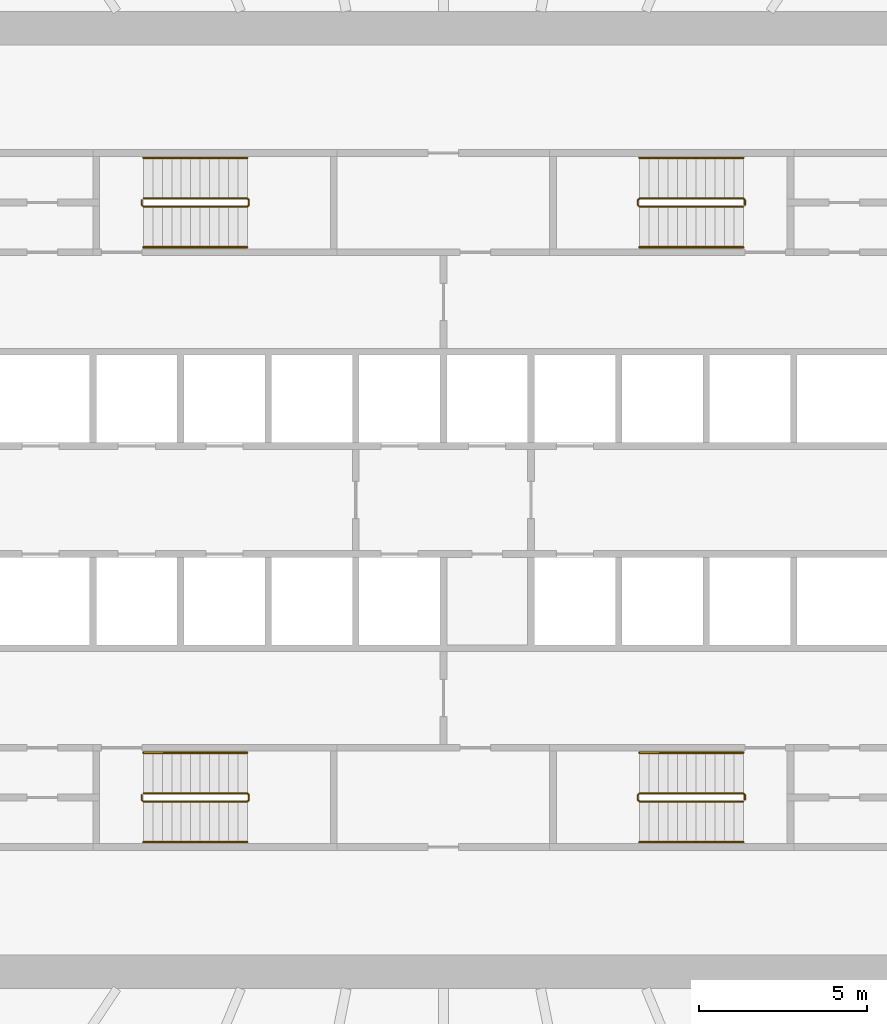
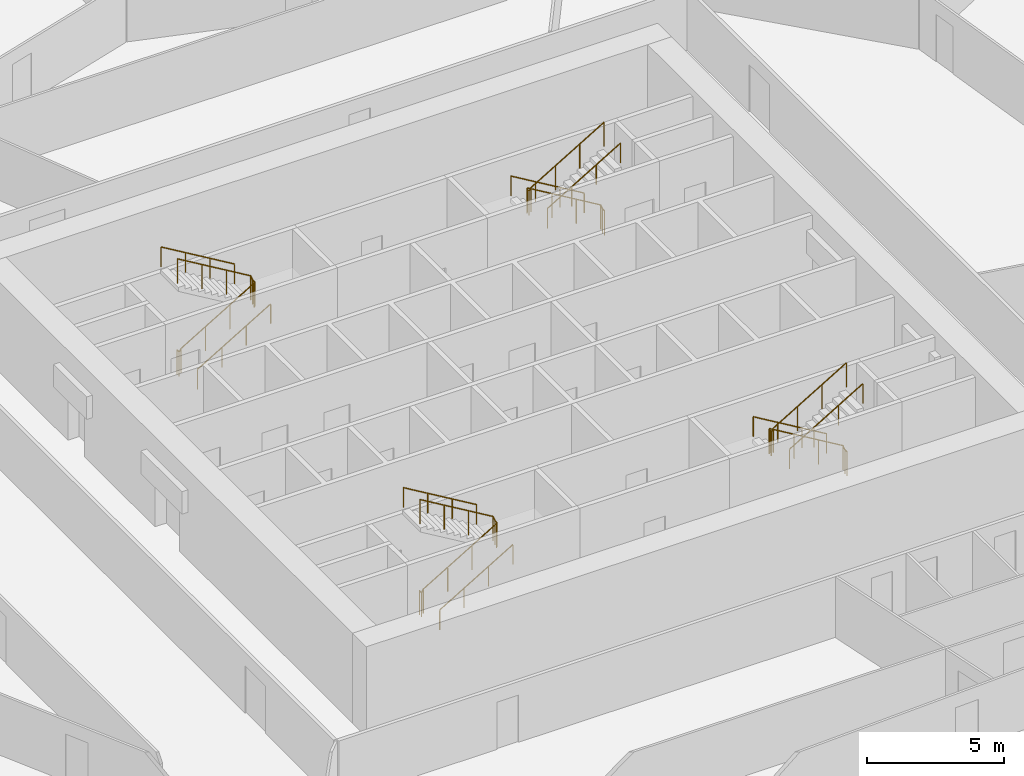
# One storey, part 8 of 8: 12 railings.
"""IFC4 building model written with IfcOpenShell, lengths in metres."""

from ifc_helpers import new_model, si_unit, direction, frame, origin, origin_2d, place, context, subcontext, project, spatial, circle, extrude, material, type_object, element, save


model = new_model("IFC4")

# Units and contexts
model_context = context("Model", 3, precision=1e-05, world=origin(), true_north=direction((0.0, 1.0)))
body_context = subcontext(model_context, "Body", "Model", "MODEL_VIEW")
ifc_project = project(units=[si_unit("LENGTHUNIT", "METRE"), si_unit("AREAUNIT", "SQUARE_METRE"), si_unit("VOLUMEUNIT", "CUBIC_METRE"), si_unit("PLANEANGLEUNIT", "RADIAN"), si_unit("MASSUNIT", "GRAM", prefix="KILO")], contexts=[model_context])

# Site, building, storey
site_placement = place(None, origin())
site = spatial("IfcSite", under=ifc_project, at=site_placement, CompositionType="ELEMENT")
building_placement = place(site_placement, origin())
building = spatial("IfcBuilding", under=site, at=building_placement, Name="Corvane Civic Tower", CompositionType="ELEMENT")
storey_placement = place(building_placement, frame((0.0, 0.0, 94.5)))
storey = spatial("IfcBuildingStorey", under=building, at=storey_placement, Name="L21", CompositionType="ELEMENT", Elevation=94.5)

# Railings
ifc_material_1 = material(Name="Steel ASTM A572 Gr 50", Category="steel")
railing_type_1 = type_object("IfcRailingType", Name="ST-GUARD-1100", PredefinedType="GUARDRAIL", material=ifc_material_1)
railing_1_placement = place(storey_placement, frame((8.949951171875, 8.75, 0.0)))
element("IfcRailing", 1, at=railing_1_placement, inside=storey, type_object=railing_type_1, Name="L21 ST1 stair guard 1", PredefinedType="GUARDRAIL", context=body_context, shape_type="SweptSolid", body=[
    extrude(circle(Radius=0.02392578125, at=origin_2d()), frame((0.0, 0.0, 1.076171875), z_axis=(0.0, 1.0, 0.0), x_axis=(-1.0, 0.0, 0.0)), (0.0, 0.0, 1.0), 0.14990234375),
    extrude(circle(Radius=0.02392578125, at=origin_2d()), frame((0.0, 0.14990234375, 1.076171875), z_axis=(-0.27628659633, 0.27628659633, 0.920506074601), x_axis=(-0.707106781187, -0.707106781187, 0.0)), (0.0, 0.0, 1.0), 0.18115234375),
    extrude(circle(Radius=0.02392578125, at=origin_2d()), frame((-0.050048828125, 0.199951171875, 1.24267578125), z_axis=(-0.859290745958, 0.0, 0.51148745235), x_axis=(0.0, -1.0, 0.0)), (0.0, 0.0, 1.0), 3.584228515625),
    extrude(circle(Radius=0.02392578125, at=origin_2d()), frame((-3.1298828125, 0.199951171875, 3.076171875), z_axis=(-0.707106781187, -0.707106781187, 0.0), x_axis=(0.707106781187, -0.707106781187, 0.0)), (0.0, 0.0, 1.0), 0.07080078125),
    extrude(circle(Radius=0.02392578125, at=origin_2d()), frame((-3.179931640625, 0.14990234375, 3.076171875), z_axis=(0.0, -1.0, 0.0), x_axis=(1.0, 0.0, 0.0)), (0.0, 0.0, 1.0), 0.14990234375),
    extrude(circle(Radius=0.02392578125, at=origin_2d()), frame((-3.179931640625, 0.0, 3.076171875), z_axis=(0.27628659633, -0.27628659633, 0.920506074601), x_axis=(0.707106781187, 0.707106781187, 0.0)), (0.0, 0.0, 1.0), 0.18115234375),
    extrude(circle(Radius=0.02392578125, at=origin_2d()), frame((-3.1298828125, -0.050048828125, 3.24267578125), z_axis=(0.859290745958, 0.0, 0.51148745235), x_axis=(0.0, 1.0, 0.0)), (0.0, 0.0, 1.0), 3.584228515625),
    extrude(circle(Radius=0.02099609375, at=origin_2d()), origin(), (0.0, 0.0, 1.0), 1.052001953125),
    extrude(circle(Radius=0.02099609375, at=origin_2d()), frame((0.0, 0.14990234375, 0.0)), (0.0, 0.0, 1.0), 1.052001953125),
    extrude(circle(Radius=0.02099609375, at=origin_2d()), frame((-0.050048828125, 0.199951171875, 0.166748046875)), (0.0, 0.0, 1.0), 1.052001953125),
    extrude(circle(Radius=0.02099609375, at=origin_2d()), frame((-1.07666015625, 0.199951171875, 0.77783203125)), (0.0, 0.0, 1.0), 1.052001953125),
    extrude(circle(Radius=0.02099609375, at=origin_2d()), frame((-2.103271484375, 0.199951171875, 1.388916015625)), (0.0, 0.0, 1.0), 1.052001953125),
    extrude(circle(Radius=0.02099609375, at=origin_2d()), frame((-3.1298828125, 0.199951171875, 2.0)), (0.0, 0.0, 1.0), 1.052001953125),
    extrude(circle(Radius=0.02099609375, at=origin_2d()), frame((-3.179931640625, 0.14990234375, 2.0)), (0.0, 0.0, 1.0), 1.052001953125),
    extrude(circle(Radius=0.02099609375, at=origin_2d()), frame((-3.179931640625, 0.0, 2.0)), (0.0, 0.0, 1.0), 1.052001953125),
    extrude(circle(Radius=0.02099609375, at=origin_2d()), frame((-3.1298828125, -0.050048828125, 2.166748046875)), (0.0, 0.0, 1.0), 1.052001953125),
    extrude(circle(Radius=0.02099609375, at=origin_2d()), frame((-2.103271484375, -0.050048828125, 2.77783203125)), (0.0, 0.0, 1.0), 1.052001953125),
    extrude(circle(Radius=0.02099609375, at=origin_2d()), frame((-1.07666015625, -0.050048828125, 3.388916015625)), (0.0, 0.0, 1.0), 1.052001953125),
    extrude(circle(Radius=0.02099609375, at=origin_2d()), frame((-0.050048828125, -0.050048828125, 4.0)), (0.0, 0.0, 1.0), 1.052001953125),
])
railing_2_placement = place(storey_placement, frame((8.949951171875, -8.89990234375, 0.0)))
element("IfcRailing", 2, at=railing_2_placement, inside=storey, type_object=railing_type_1, Name="L21 ST2 stair guard 1", PredefinedType="GUARDRAIL", context=body_context, shape_type="SweptSolid", body=[
    extrude(circle(Radius=0.02392578125, at=origin_2d()), frame((0.0, 0.0, 1.076171875), z_axis=(0.0, 1.0, 0.0), x_axis=(-1.0, 0.0, 0.0)), (0.0, 0.0, 1.0), 0.14990234375),
    extrude(circle(Radius=0.02392578125, at=origin_2d()), frame((0.0, 0.14990234375, 1.076171875), z_axis=(-0.27628659633, 0.27628659633, 0.920506074601), x_axis=(-0.707106781187, -0.707106781187, 0.0)), (0.0, 0.0, 1.0), 0.18115234375),
    extrude(circle(Radius=0.02392578125, at=origin_2d()), frame((-0.050048828125, 0.199951171875, 1.24267578125), z_axis=(-0.859290745958, 0.0, 0.51148745235), x_axis=(0.0, -1.0, 0.0)), (0.0, 0.0, 1.0), 3.584228515625),
    extrude(circle(Radius=0.02392578125, at=origin_2d()), frame((-3.1298828125, 0.199951171875, 3.076171875), z_axis=(-0.707106781187, -0.707106781187, 0.0), x_axis=(0.707106781187, -0.707106781187, 0.0)), (0.0, 0.0, 1.0), 0.07080078125),
    extrude(circle(Radius=0.02392578125, at=origin_2d()), frame((-3.179931640625, 0.14990234375, 3.076171875), z_axis=(0.0, -1.0, 0.0), x_axis=(1.0, 0.0, 0.0)), (0.0, 0.0, 1.0), 0.14990234375),
    extrude(circle(Radius=0.02392578125, at=origin_2d()), frame((-3.179931640625, 0.0, 3.076171875), z_axis=(0.27628659633, -0.27628659633, 0.920506074601), x_axis=(0.707106781187, 0.707106781187, 0.0)), (0.0, 0.0, 1.0), 0.18115234375),
    extrude(circle(Radius=0.02392578125, at=origin_2d()), frame((-3.1298828125, -0.050048828125, 3.24267578125), z_axis=(0.859290745958, 0.0, 0.51148745235), x_axis=(0.0, 1.0, 0.0)), (0.0, 0.0, 1.0), 3.584228515625),
    extrude(circle(Radius=0.02099609375, at=origin_2d()), origin(), (0.0, 0.0, 1.0), 1.052001953125),
    extrude(circle(Radius=0.02099609375, at=origin_2d()), frame((0.0, 0.14990234375, 0.0)), (0.0, 0.0, 1.0), 1.052001953125),
    extrude(circle(Radius=0.02099609375, at=origin_2d()), frame((-0.050048828125, 0.199951171875, 0.166748046875)), (0.0, 0.0, 1.0), 1.052001953125),
    extrude(circle(Radius=0.02099609375, at=origin_2d()), frame((-1.07666015625, 0.199951171875, 0.77783203125)), (0.0, 0.0, 1.0), 1.052001953125),
    extrude(circle(Radius=0.02099609375, at=origin_2d()), frame((-2.103271484375, 0.199951171875, 1.388916015625)), (0.0, 0.0, 1.0), 1.052001953125),
    extrude(circle(Radius=0.02099609375, at=origin_2d()), frame((-3.1298828125, 0.199951171875, 2.0)), (0.0, 0.0, 1.0), 1.052001953125),
    extrude(circle(Radius=0.02099609375, at=origin_2d()), frame((-3.179931640625, 0.14990234375, 2.0)), (0.0, 0.0, 1.0), 1.052001953125),
    extrude(circle(Radius=0.02099609375, at=origin_2d()), frame((-3.179931640625, 0.0, 2.0)), (0.0, 0.0, 1.0), 1.052001953125),
    extrude(circle(Radius=0.02099609375, at=origin_2d()), frame((-3.1298828125, -0.050048828125, 2.166748046875)), (0.0, 0.0, 1.0), 1.052001953125),
    extrude(circle(Radius=0.02099609375, at=origin_2d()), frame((-2.103271484375, -0.050048828125, 2.77783203125)), (0.0, 0.0, 1.0), 1.052001953125),
    extrude(circle(Radius=0.02099609375, at=origin_2d()), frame((-1.07666015625, -0.050048828125, 3.388916015625)), (0.0, 0.0, 1.0), 1.052001953125),
    extrude(circle(Radius=0.02099609375, at=origin_2d()), frame((-0.050048828125, -0.050048828125, 4.0)), (0.0, 0.0, 1.0), 1.052001953125),
])
railing_3_placement = place(storey_placement, frame((-8.949951171875, -8.75, 0.0)))
element("IfcRailing", 3, at=railing_3_placement, inside=storey, type_object=railing_type_1, Name="L21 ST3 stair guard 1", PredefinedType="GUARDRAIL", context=body_context, shape_type="SweptSolid", body=[
    extrude(circle(Radius=0.02392578125, at=origin_2d()), frame((0.0, 0.0, 1.076171875), z_axis=(0.0, -1.0, 0.0), x_axis=(1.0, 0.0, 0.0)), (0.0, 0.0, 1.0), 0.14990234375),
    extrude(circle(Radius=0.02392578125, at=origin_2d()), frame((0.0, -0.14990234375, 1.076171875), z_axis=(0.27628659633, -0.27628659633, 0.920506074601), x_axis=(0.707106781187, 0.707106781187, 0.0)), (0.0, 0.0, 1.0), 0.18115234375),
    extrude(circle(Radius=0.02392578125, at=origin_2d()), frame((0.050048828125, -0.199951171875, 1.24267578125), z_axis=(0.859290745958, 0.0, 0.51148745235), x_axis=(0.0, 1.0, 0.0)), (0.0, 0.0, 1.0), 3.584228515625),
    extrude(circle(Radius=0.02392578125, at=origin_2d()), frame((3.1298828125, -0.199951171875, 3.076171875), z_axis=(0.707106781187, 0.707106781187, 0.0), x_axis=(-0.707106781187, 0.707106781187, 0.0)), (0.0, 0.0, 1.0), 0.07080078125),
    extrude(circle(Radius=0.02392578125, at=origin_2d()), frame((3.179931640625, -0.14990234375, 3.076171875), z_axis=(0.0, 1.0, 0.0), x_axis=(-1.0, 0.0, 0.0)), (0.0, 0.0, 1.0), 0.14990234375),
    extrude(circle(Radius=0.02392578125, at=origin_2d()), frame((3.179931640625, 0.0, 3.076171875), z_axis=(-0.27628659633, 0.27628659633, 0.920506074601), x_axis=(-0.707106781187, -0.707106781187, 0.0)), (0.0, 0.0, 1.0), 0.18115234375),
    extrude(circle(Radius=0.02392578125, at=origin_2d()), frame((3.1298828125, 0.050048828125, 3.24267578125), z_axis=(-0.859290745958, 0.0, 0.51148745235), x_axis=(0.0, -1.0, 0.0)), (0.0, 0.0, 1.0), 3.584228515625),
    extrude(circle(Radius=0.02099609375, at=origin_2d()), origin(), (0.0, 0.0, 1.0), 1.052001953125),
    extrude(circle(Radius=0.02099609375, at=origin_2d()), frame((0.0, -0.14990234375, 0.0)), (0.0, 0.0, 1.0), 1.052001953125),
    extrude(circle(Radius=0.02099609375, at=origin_2d()), frame((0.050048828125, -0.199951171875, 0.166748046875)), (0.0, 0.0, 1.0), 1.052001953125),
    extrude(circle(Radius=0.02099609375, at=origin_2d()), frame((1.07666015625, -0.199951171875, 0.77783203125)), (0.0, 0.0, 1.0), 1.052001953125),
    extrude(circle(Radius=0.02099609375, at=origin_2d()), frame((2.103271484375, -0.199951171875, 1.388916015625)), (0.0, 0.0, 1.0), 1.052001953125),
    extrude(circle(Radius=0.02099609375, at=origin_2d()), frame((3.1298828125, -0.199951171875, 2.0)), (0.0, 0.0, 1.0), 1.052001953125),
    extrude(circle(Radius=0.02099609375, at=origin_2d()), frame((3.179931640625, -0.14990234375, 2.0)), (0.0, 0.0, 1.0), 1.052001953125),
    extrude(circle(Radius=0.02099609375, at=origin_2d()), frame((3.179931640625, 0.0, 2.0)), (0.0, 0.0, 1.0), 1.052001953125),
    extrude(circle(Radius=0.02099609375, at=origin_2d()), frame((3.1298828125, 0.050048828125, 2.166748046875)), (0.0, 0.0, 1.0), 1.052001953125),
    extrude(circle(Radius=0.02099609375, at=origin_2d()), frame((2.103271484375, 0.050048828125, 2.77783203125)), (0.0, 0.0, 1.0), 1.052001953125),
    extrude(circle(Radius=0.02099609375, at=origin_2d()), frame((1.07666015625, 0.050048828125, 3.388916015625)), (0.0, 0.0, 1.0), 1.052001953125),
    extrude(circle(Radius=0.02099609375, at=origin_2d()), frame((0.050048828125, 0.050048828125, 4.0)), (0.0, 0.0, 1.0), 1.052001953125),
])
railing_4_placement = place(storey_placement, frame((-8.949951171875, 8.89990234375, 0.0)))
element("IfcRailing", 4, at=railing_4_placement, inside=storey, type_object=railing_type_1, Name="L21 ST4 stair guard 1", PredefinedType="GUARDRAIL", context=body_context, shape_type="SweptSolid", body=[
    extrude(circle(Radius=0.02392578125, at=origin_2d()), frame((0.0, 0.0, 1.076171875), z_axis=(0.0, -1.0, 0.0), x_axis=(1.0, 0.0, 0.0)), (0.0, 0.0, 1.0), 0.14990234375),
    extrude(circle(Radius=0.02392578125, at=origin_2d()), frame((0.0, -0.14990234375, 1.076171875), z_axis=(0.27628659633, -0.27628659633, 0.920506074601), x_axis=(0.707106781187, 0.707106781187, 0.0)), (0.0, 0.0, 1.0), 0.18115234375),
    extrude(circle(Radius=0.02392578125, at=origin_2d()), frame((0.050048828125, -0.199951171875, 1.24267578125), z_axis=(0.859290745958, 0.0, 0.51148745235), x_axis=(0.0, 1.0, 0.0)), (0.0, 0.0, 1.0), 3.584228515625),
    extrude(circle(Radius=0.02392578125, at=origin_2d()), frame((3.1298828125, -0.199951171875, 3.076171875), z_axis=(0.707106781187, 0.707106781187, 0.0), x_axis=(-0.707106781187, 0.707106781187, 0.0)), (0.0, 0.0, 1.0), 0.07080078125),
    extrude(circle(Radius=0.02392578125, at=origin_2d()), frame((3.179931640625, -0.14990234375, 3.076171875), z_axis=(0.0, 1.0, 0.0), x_axis=(-1.0, 0.0, 0.0)), (0.0, 0.0, 1.0), 0.14990234375),
    extrude(circle(Radius=0.02392578125, at=origin_2d()), frame((3.179931640625, 0.0, 3.076171875), z_axis=(-0.27628659633, 0.27628659633, 0.920506074601), x_axis=(-0.707106781187, -0.707106781187, 0.0)), (0.0, 0.0, 1.0), 0.18115234375),
    extrude(circle(Radius=0.02392578125, at=origin_2d()), frame((3.1298828125, 0.050048828125, 3.24267578125), z_axis=(-0.859290745958, 0.0, 0.51148745235), x_axis=(0.0, -1.0, 0.0)), (0.0, 0.0, 1.0), 3.584228515625),
    extrude(circle(Radius=0.02099609375, at=origin_2d()), origin(), (0.0, 0.0, 1.0), 1.052001953125),
    extrude(circle(Radius=0.02099609375, at=origin_2d()), frame((0.0, -0.14990234375, 0.0)), (0.0, 0.0, 1.0), 1.052001953125),
    extrude(circle(Radius=0.02099609375, at=origin_2d()), frame((0.050048828125, -0.199951171875, 0.166748046875)), (0.0, 0.0, 1.0), 1.052001953125),
    extrude(circle(Radius=0.02099609375, at=origin_2d()), frame((1.07666015625, -0.199951171875, 0.77783203125)), (0.0, 0.0, 1.0), 1.052001953125),
    extrude(circle(Radius=0.02099609375, at=origin_2d()), frame((2.103271484375, -0.199951171875, 1.388916015625)), (0.0, 0.0, 1.0), 1.052001953125),
    extrude(circle(Radius=0.02099609375, at=origin_2d()), frame((3.1298828125, -0.199951171875, 2.0)), (0.0, 0.0, 1.0), 1.052001953125),
    extrude(circle(Radius=0.02099609375, at=origin_2d()), frame((3.179931640625, -0.14990234375, 2.0)), (0.0, 0.0, 1.0), 1.052001953125),
    extrude(circle(Radius=0.02099609375, at=origin_2d()), frame((3.179931640625, 0.0, 2.0)), (0.0, 0.0, 1.0), 1.052001953125),
    extrude(circle(Radius=0.02099609375, at=origin_2d()), frame((3.1298828125, 0.050048828125, 2.166748046875)), (0.0, 0.0, 1.0), 1.052001953125),
    extrude(circle(Radius=0.02099609375, at=origin_2d()), frame((2.103271484375, 0.050048828125, 2.77783203125)), (0.0, 0.0, 1.0), 1.052001953125),
    extrude(circle(Radius=0.02099609375, at=origin_2d()), frame((1.07666015625, 0.050048828125, 3.388916015625)), (0.0, 0.0, 1.0), 1.052001953125),
    extrude(circle(Radius=0.02099609375, at=origin_2d()), frame((0.050048828125, 0.050048828125, 4.0)), (0.0, 0.0, 1.0), 1.052001953125),
])
ifc_material_2 = material(Name="Steel ASTM A572 Gr 50", Category="steel")
railing_type_2 = type_object("IfcRailingType", Name="ST-HANDRAIL-900", PredefinedType="HANDRAIL", material=ifc_material_2)
railing_5_placement = place(storey_placement, frame((8.89990234375, 10.14990234375, 0.166748046875)))
element("IfcRailing", 5, at=railing_5_placement, inside=storey, type_object=railing_type_2, Name="L21 ST1 stair handrail 1", PredefinedType="HANDRAIL", context=body_context, shape_type="SweptSolid", body=[
    extrude(circle(Radius=0.02392578125, at=origin_2d()), frame((0.0, 0.0, 0.8759765625), z_axis=(-0.859290745958, 0.0, 0.51148745235), x_axis=(0.0, -1.0, 0.0)), (0.0, 0.0, 1.0), 3.584228515625),
    extrude(circle(Radius=0.02099609375, at=origin_2d()), origin(), (0.0, 0.0, 1.0), 0.851806640625),
    extrude(circle(Radius=0.02099609375, at=origin_2d()), frame((-1.026611328125, 0.0, 0.611083984375)), (0.0, 0.0, 1.0), 0.851806640625),
    extrude(circle(Radius=0.02099609375, at=origin_2d()), frame((-2.05322265625, 0.0, 1.22216796875)), (0.0, 0.0, 1.0), 0.851806640625),
    extrude(circle(Radius=0.02099609375, at=origin_2d()), frame((-3.079833984375, 0.0, 1.833251953125)), (0.0, 0.0, 1.0), 0.851806640625),
])
railing_6_placement = place(storey_placement, frame((5.820068359375, 7.5, 2.166748046875)))
element("IfcRailing", 6, at=railing_6_placement, inside=storey, type_object=railing_type_2, Name="L21 ST1 stair handrail 2", PredefinedType="HANDRAIL", context=body_context, shape_type="SweptSolid", body=[
    extrude(circle(Radius=0.02392578125, at=origin_2d()), frame((0.0, 0.0, 0.8759765625), z_axis=(0.859290745958, 0.0, 0.51148745235), x_axis=(0.0, 1.0, 0.0)), (0.0, 0.0, 1.0), 3.584228515625),
    extrude(circle(Radius=0.02099609375, at=origin_2d()), origin(), (0.0, 0.0, 1.0), 0.851806640625),
    extrude(circle(Radius=0.02099609375, at=origin_2d()), frame((1.026611328125, 0.0, 0.611083984375)), (0.0, 0.0, 1.0), 0.851806640625),
    extrude(circle(Radius=0.02099609375, at=origin_2d()), frame((2.05322265625, 0.0, 1.22216796875)), (0.0, 0.0, 1.0), 0.851806640625),
    extrude(circle(Radius=0.02099609375, at=origin_2d()), frame((3.079833984375, 0.0, 1.833251953125)), (0.0, 0.0, 1.0), 0.851806640625),
])
railing_7_placement = place(storey_placement, frame((8.89990234375, -7.5, 0.166748046875)))
element("IfcRailing", 7, at=railing_7_placement, inside=storey, type_object=railing_type_2, Name="L21 ST2 stair handrail 1", PredefinedType="HANDRAIL", context=body_context, shape_type="SweptSolid", body=[
    extrude(circle(Radius=0.02392578125, at=origin_2d()), frame((0.0, 0.0, 0.8759765625), z_axis=(-0.859290745958, 0.0, 0.51148745235), x_axis=(0.0, -1.0, 0.0)), (0.0, 0.0, 1.0), 3.584228515625),
    extrude(circle(Radius=0.02099609375, at=origin_2d()), origin(), (0.0, 0.0, 1.0), 0.851806640625),
    extrude(circle(Radius=0.02099609375, at=origin_2d()), frame((-1.026611328125, 0.0, 0.611083984375)), (0.0, 0.0, 1.0), 0.851806640625),
    extrude(circle(Radius=0.02099609375, at=origin_2d()), frame((-2.05322265625, 0.0, 1.22216796875)), (0.0, 0.0, 1.0), 0.851806640625),
    extrude(circle(Radius=0.02099609375, at=origin_2d()), frame((-3.079833984375, 0.0, 1.833251953125)), (0.0, 0.0, 1.0), 0.851806640625),
])
for number, where, name in (
    (8, (5.820068359375, -10.14990234375, 2.166748046875), "L21 ST2 stair handrail 2"),
    (9, (-8.89990234375, -10.14990234375, 0.166748046875), "L21 ST3 stair handrail 1"),
):
    element("IfcRailing", number, at=place(storey_placement, frame(where)), inside=storey, type_object=railing_type_2, Name=name, PredefinedType="HANDRAIL", context=body_context, shape_type="SweptSolid", body=[
        extrude(circle(Radius=0.02392578125, at=origin_2d()), frame((0.0, 0.0, 0.8759765625), z_axis=(0.859290745958, 0.0, 0.51148745235), x_axis=(0.0, 1.0, 0.0)), (0.0, 0.0, 1.0), 3.584228515625),
        extrude(circle(Radius=0.02099609375, at=origin_2d()), origin(), (0.0, 0.0, 1.0), 0.851806640625),
        extrude(circle(Radius=0.02099609375, at=origin_2d()), frame((1.026611328125, 0.0, 0.611083984375)), (0.0, 0.0, 1.0), 0.851806640625),
        extrude(circle(Radius=0.02099609375, at=origin_2d()), frame((2.05322265625, 0.0, 1.22216796875)), (0.0, 0.0, 1.0), 0.851806640625),
        extrude(circle(Radius=0.02099609375, at=origin_2d()), frame((3.079833984375, 0.0, 1.833251953125)), (0.0, 0.0, 1.0), 0.851806640625),
    ])
railing_8_placement = place(storey_placement, frame((-5.820068359375, -7.5, 2.166748046875)))
element("IfcRailing", 10, at=railing_8_placement, inside=storey, type_object=railing_type_2, Name="L21 ST3 stair handrail 2", PredefinedType="HANDRAIL", context=body_context, shape_type="SweptSolid", body=[
    extrude(circle(Radius=0.02392578125, at=origin_2d()), frame((0.0, 0.0, 0.8759765625), z_axis=(-0.859290745958, 0.0, 0.51148745235), x_axis=(0.0, -1.0, 0.0)), (0.0, 0.0, 1.0), 3.584228515625),
    extrude(circle(Radius=0.02099609375, at=origin_2d()), origin(), (0.0, 0.0, 1.0), 0.851806640625),
    extrude(circle(Radius=0.02099609375, at=origin_2d()), frame((-1.026611328125, 0.0, 0.611083984375)), (0.0, 0.0, 1.0), 0.851806640625),
    extrude(circle(Radius=0.02099609375, at=origin_2d()), frame((-2.05322265625, 0.0, 1.22216796875)), (0.0, 0.0, 1.0), 0.851806640625),
    extrude(circle(Radius=0.02099609375, at=origin_2d()), frame((-3.079833984375, 0.0, 1.833251953125)), (0.0, 0.0, 1.0), 0.851806640625),
])
railing_9_placement = place(storey_placement, frame((-8.89990234375, 7.5, 0.166748046875)))
element("IfcRailing", 11, at=railing_9_placement, inside=storey, type_object=railing_type_2, Name="L21 ST4 stair handrail 1", PredefinedType="HANDRAIL", context=body_context, shape_type="SweptSolid", body=[
    extrude(circle(Radius=0.02392578125, at=origin_2d()), frame((0.0, 0.0, 0.8759765625), z_axis=(0.859290745958, 0.0, 0.51148745235), x_axis=(0.0, 1.0, 0.0)), (0.0, 0.0, 1.0), 3.584228515625),
    extrude(circle(Radius=0.02099609375, at=origin_2d()), origin(), (0.0, 0.0, 1.0), 0.851806640625),
    extrude(circle(Radius=0.02099609375, at=origin_2d()), frame((1.026611328125, 0.0, 0.611083984375)), (0.0, 0.0, 1.0), 0.851806640625),
    extrude(circle(Radius=0.02099609375, at=origin_2d()), frame((2.05322265625, 0.0, 1.22216796875)), (0.0, 0.0, 1.0), 0.851806640625),
    extrude(circle(Radius=0.02099609375, at=origin_2d()), frame((3.079833984375, 0.0, 1.833251953125)), (0.0, 0.0, 1.0), 0.851806640625),
])
railing_10_placement = place(storey_placement, frame((-5.820068359375, 10.14990234375, 2.166748046875)))
element("IfcRailing", 12, at=railing_10_placement, inside=storey, type_object=railing_type_2, Name="L21 ST4 stair handrail 2", PredefinedType="HANDRAIL", context=body_context, shape_type="SweptSolid", body=[
    extrude(circle(Radius=0.02392578125, at=origin_2d()), frame((0.0, 0.0, 0.8759765625), z_axis=(-0.859290745958, 0.0, 0.51148745235), x_axis=(0.0, -1.0, 0.0)), (0.0, 0.0, 1.0), 3.584228515625),
    extrude(circle(Radius=0.02099609375, at=origin_2d()), origin(), (0.0, 0.0, 1.0), 0.851806640625),
    extrude(circle(Radius=0.02099609375, at=origin_2d()), frame((-1.026611328125, 0.0, 0.611083984375)), (0.0, 0.0, 1.0), 0.851806640625),
    extrude(circle(Radius=0.02099609375, at=origin_2d()), frame((-2.05322265625, 0.0, 1.22216796875)), (0.0, 0.0, 1.0), 0.851806640625),
    extrude(circle(Radius=0.02099609375, at=origin_2d()), frame((-3.079833984375, 0.0, 1.833251953125)), (0.0, 0.0, 1.0), 0.851806640625),
])

save(model, "model.ifc")
